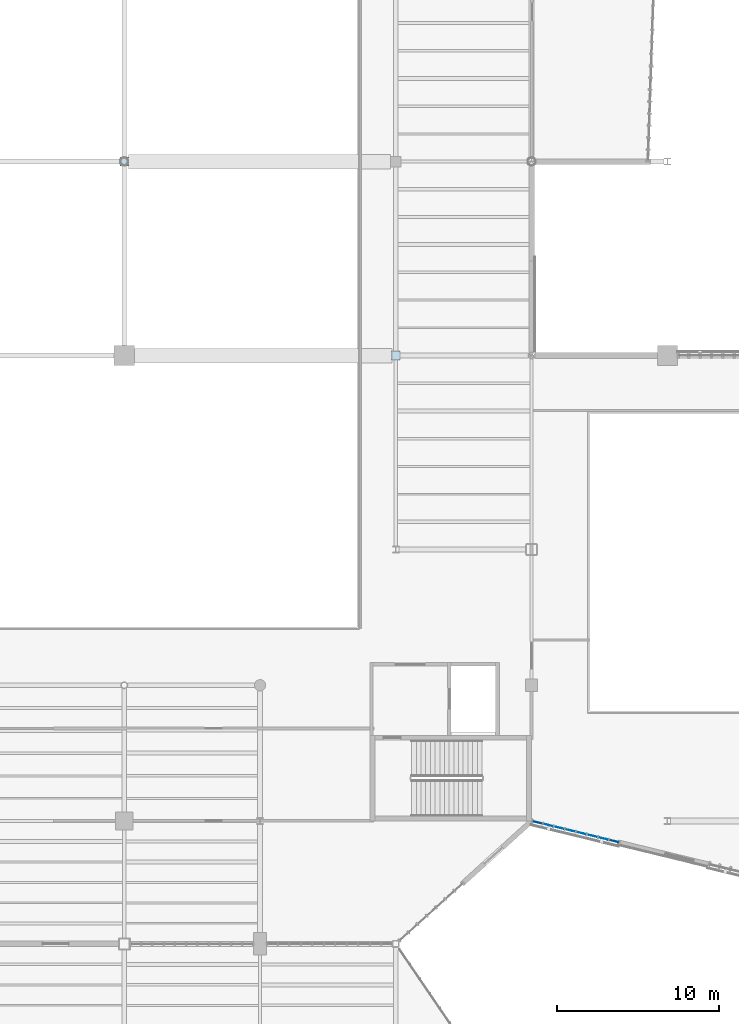
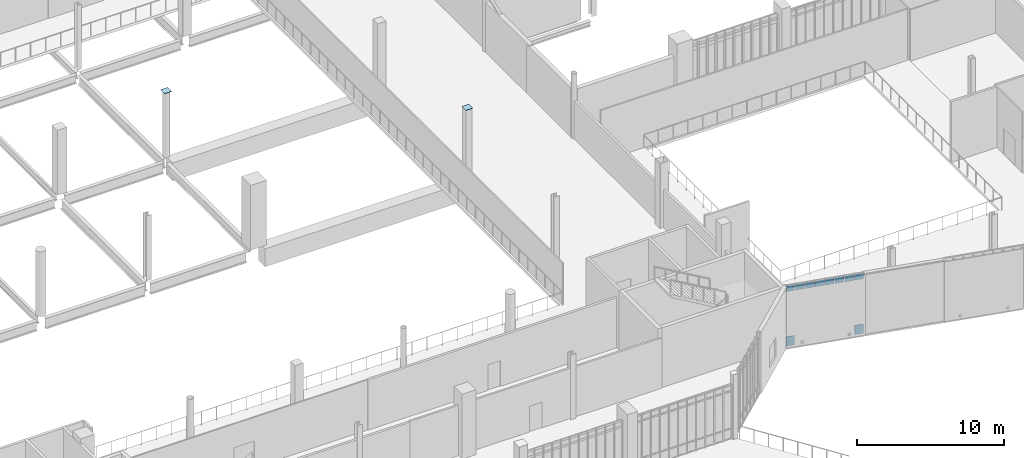
# One storey, part 89 of 127: 12 plates, 1 element without a shape of its own.
"""IFC4 building model written with IfcOpenShell, lengths in metres."""

from ifc_helpers import new_model, si_unit, direction, frame, origin, origin_2d, place, context, subcontext, project, spatial, rectangle, extrude, material, layer, layer_set, type_object, element, aggregate, save


model = new_model("IFC4")

# Units and contexts
model_context = context("Model", 3, precision=1e-05, world=origin(), true_north=direction((0.0, 1.0)))
body_context = subcontext(model_context, "Body", "Model", "MODEL_VIEW")
ifc_project = project(units=[si_unit("LENGTHUNIT", "METRE"), si_unit("AREAUNIT", "SQUARE_METRE"), si_unit("VOLUMEUNIT", "CUBIC_METRE"), si_unit("PLANEANGLEUNIT", "RADIAN"), si_unit("MASSUNIT", "GRAM", prefix="KILO")], contexts=[model_context])

# Site, building, storey
site_placement = place(None, origin())
site = spatial("IfcSite", under=ifc_project, at=site_placement, CompositionType="ELEMENT")
building_placement = place(site_placement, origin())
building = spatial("IfcBuilding", under=site, at=building_placement, Name="Larkvane Passage Sports Hall", CompositionType="ELEMENT")
storey_placement = place(building_placement, frame((0.0, 0.0, 5.39990234375)))
storey = spatial("IfcBuildingStorey", under=building, at=storey_placement, Name="L01", CompositionType="ELEMENT", Elevation=5.39990234375)

# Curtain wall, plates
ifc_material_1 = material(Name="Thermally broken aluminium and low-E glazing", Category="aluminium")
curtain_wall_type = type_object("IfcCurtainWallType", Name="CW-UNIT-COURT", PredefinedType="USERDEFINED", material=ifc_material_1)
curtain_wall_placement = place(storey_placement, origin())
curtain_wall = element("IfcCurtainWall", 1, at=curtain_wall_placement, inside=storey, type_object=curtain_wall_type, Name="Curtain wall CW5-L01-064", ObjectType="UNITISED CURTAIN WALL", PredefinedType="USERDEFINED")
ifc_material_2 = material(Name="Insulated aluminium spandrel panel", Category="aluminium")
ifc_layer_1 = layer(ifc_material_2, 0.06494140625)
ifc_layer_set_1 = layer_set([ifc_layer_1], Name="Insulated aluminium spandrel panel")
plate_type_1 = type_object("IfcPlateType", Name="CWP-SPD-65", PredefinedType="CURTAIN_PANEL", material=ifc_layer_set_1)
plate_1_placement = place(storey_placement, frame((98.7099609375, 21.5537109375, 0.065185546875), z_axis=(0.0, 0.0, 1.0), x_axis=(-0.971523437526, 0.236943474986, 0.0)))
plate_1 = element("IfcPlate", 2, at=plate_1_placement, type_object=plate_type_1, Name="CW-01 panel 1.1", PredefinedType="CURTAIN_PANEL", context=body_context, shape_type="SweptSolid", body=[
    extrude(rectangle(XDim=0.604736328125, YDim=0.06494140625, at=origin_2d()), origin(), (0.0, 0.0, 1.0), 0.75244140625),
])
plate_2_placement = place(storey_placement, frame((93.966552734375, 22.71044921875, 0.065185546875), z_axis=(0.0, 0.0, 1.0), x_axis=(-0.971523437526, 0.236943474986, 0.0)))
plate_2 = element("IfcPlate", 3, at=plate_2_placement, type_object=plate_type_1, Name="CW-01 panel 8.1", PredefinedType="CURTAIN_PANEL", context=body_context, shape_type="SweptSolid", body=[
    extrude(rectangle(XDim=0.604736328125, YDim=0.06494140625, at=origin_2d()), origin(), (0.0, 0.0, 1.0), 0.75244140625),
])
ifc_material_3 = material(Name="Solar-control low-E double glazing", Category="glass")
ifc_layer_2 = layer(ifc_material_3, 0.028076171875)
ifc_layer_set_2 = layer_set([ifc_layer_2], Name="Solar-control low-E double glazing")
plate_type_2 = type_object("IfcPlateType", Name="CWP-VIS-28", PredefinedType="CURTAIN_PANEL", material=ifc_layer_set_2)
plate_3_placement = place(storey_placement, frame((98.7099609375, 21.5537109375, 4.58251953125), z_axis=(0.0, 0.0, 1.0), x_axis=(-0.971523437526, 0.236943474986, 0.0)))
plate_3 = element("IfcPlate", 4, at=plate_3_placement, type_object=plate_type_2, Name="CW-01 panel 1.3", PredefinedType="CURTAIN_PANEL", context=body_context, shape_type="SweptSolid", body=[
    extrude(rectangle(XDim=0.604736328125, YDim=0.028076171875, at=origin_2d()), origin(), (0.0, 0.0, 1.0), 0.452392578125),
])
plate_4_placement = place(storey_placement, frame((98.04345703125, 21.71630859375, 4.58251953125), z_axis=(0.0, 0.0, 1.0), x_axis=(-0.971523437526, 0.236943474986, 0.0)))
plate_4 = element("IfcPlate", 5, at=plate_4_placement, type_object=plate_type_2, Name="CW-01 panel 2.3", PredefinedType="CURTAIN_PANEL", context=body_context, shape_type="SweptSolid", body=[
    extrude(rectangle(XDim=0.63720703125, YDim=0.028076171875, at=origin_2d()), origin(), (0.0, 0.0, 1.0), 0.452392578125),
])
plate_5_placement = place(storey_placement, frame((97.361328125, 21.882568359375, 4.58251953125), z_axis=(0.0, 0.0, 1.0), x_axis=(-0.971523437526, 0.236943474986, 0.0)))
plate_5 = element("IfcPlate", 6, at=plate_5_placement, type_object=plate_type_2, Name="CW-01 panel 3.3", PredefinedType="CURTAIN_PANEL", context=body_context, shape_type="SweptSolid", body=[
    extrude(rectangle(XDim=0.63720703125, YDim=0.028076171875, at=origin_2d()), origin(), (0.0, 0.0, 1.0), 0.452392578125),
])
plate_6_placement = place(storey_placement, frame((96.67919921875, 22.049072265625, 4.58251953125), z_axis=(0.0, 0.0, 1.0), x_axis=(-0.971523437526, 0.236943474986, 0.0)))
plate_6 = element("IfcPlate", 7, at=plate_6_placement, type_object=plate_type_2, Name="CW-01 panel 4.3", PredefinedType="CURTAIN_PANEL", context=body_context, shape_type="SweptSolid", body=[
    extrude(rectangle(XDim=0.63720703125, YDim=0.028076171875, at=origin_2d()), origin(), (0.0, 0.0, 1.0), 0.452392578125),
])
plate_7_placement = place(storey_placement, frame((95.9970703125, 22.21533203125, 4.58251953125), z_axis=(0.0, 0.0, 1.0), x_axis=(-0.971523437526, 0.236943474986, 0.0)))
plate_7 = element("IfcPlate", 8, at=plate_7_placement, type_object=plate_type_2, Name="CW-01 panel 5.3", PredefinedType="CURTAIN_PANEL", context=body_context, shape_type="SweptSolid", body=[
    extrude(rectangle(XDim=0.63720703125, YDim=0.028076171875, at=origin_2d()), origin(), (0.0, 0.0, 1.0), 0.452392578125),
])
plate_8_placement = place(storey_placement, frame((95.31494140625, 22.381591796875, 4.58251953125), z_axis=(0.0, 0.0, 1.0), x_axis=(-0.971523437526, 0.236943474986, 0.0)))
plate_8 = element("IfcPlate", 9, at=plate_8_placement, type_object=plate_type_2, Name="CW-01 panel 6.3", PredefinedType="CURTAIN_PANEL", context=body_context, shape_type="SweptSolid", body=[
    extrude(rectangle(XDim=0.63720703125, YDim=0.028076171875, at=origin_2d()), origin(), (0.0, 0.0, 1.0), 0.452392578125),
])
plate_9_placement = place(storey_placement, frame((94.6328125, 22.548095703125, 4.58251953125), z_axis=(0.0, 0.0, 1.0), x_axis=(-0.971523437526, 0.236943474986, 0.0)))
plate_9 = element("IfcPlate", 10, at=plate_9_placement, type_object=plate_type_2, Name="CW-01 panel 7.3", PredefinedType="CURTAIN_PANEL", context=body_context, shape_type="SweptSolid", body=[
    extrude(rectangle(XDim=0.63720703125, YDim=0.028076171875, at=origin_2d()), origin(), (0.0, 0.0, 1.0), 0.452392578125),
])
plate_10_placement = place(storey_placement, frame((93.966552734375, 22.71044921875, 4.58251953125), z_axis=(0.0, 0.0, 1.0), x_axis=(-0.971523437526, 0.236943474986, 0.0)))
plate_10 = element("IfcPlate", 11, at=plate_10_placement, type_object=plate_type_2, Name="CW-01 panel 8.3", PredefinedType="CURTAIN_PANEL", context=body_context, shape_type="SweptSolid", body=[
    extrude(rectangle(XDim=0.604736328125, YDim=0.028076171875, at=origin_2d()), origin(), (0.0, 0.0, 1.0), 0.452392578125),
])
aggregate(curtain_wall, [plate_1, plate_3, plate_4, plate_5, plate_6, plate_7, plate_8, plate_9, plate_2, plate_10])

# Plates
ifc_material_4 = material(Name="Steel S460N", Category="steel")
ifc_layer_3 = layer(ifc_material_4, 0.028076171875)
ifc_layer_set_3 = layer_set([ifc_layer_3], Name="Steel S460N")
plate_type_3 = type_object("IfcPlateType", Name="PLT-CAP-28", PredefinedType="SHEET", material=ifc_layer_set_3)
plate_11_placement = place(storey_placement, frame((68.39990234375, 63.60009765625, 5.39990234375), z_axis=(0.0, 0.0, 1.0), x_axis=(1.0, 0.0, 0.0)))
element("IfcPlate", 12, at=plate_11_placement, inside=storey, type_object=plate_type_3, Name="Hollow section sealed end cap plate 0014", PredefinedType="SHEET", context=body_context, shape_type="SweptSolid", body=[
    extrude(rectangle(XDim=0.548095703125, YDim=0.548095703125, at=origin_2d()), origin(), (0.0, 0.0, 1.0), 0.028076171875),
])
plate_12_placement = place(storey_placement, frame((85.199951171875, 51.60009765625, 5.39990234375), z_axis=(0.0, 0.0, 1.0), x_axis=(1.0, 0.0, 0.0)))
element("IfcPlate", 13, at=plate_12_placement, inside=storey, type_object=plate_type_3, Name="Hollow section sealed end cap plate 0018", PredefinedType="SHEET", context=body_context, shape_type="SweptSolid", body=[
    extrude(rectangle(XDim=0.5400390625, YDim=0.5400390625, at=origin_2d()), origin(), (0.0, 0.0, 1.0), 0.028076171875),
])

save(model, "model.ifc")
